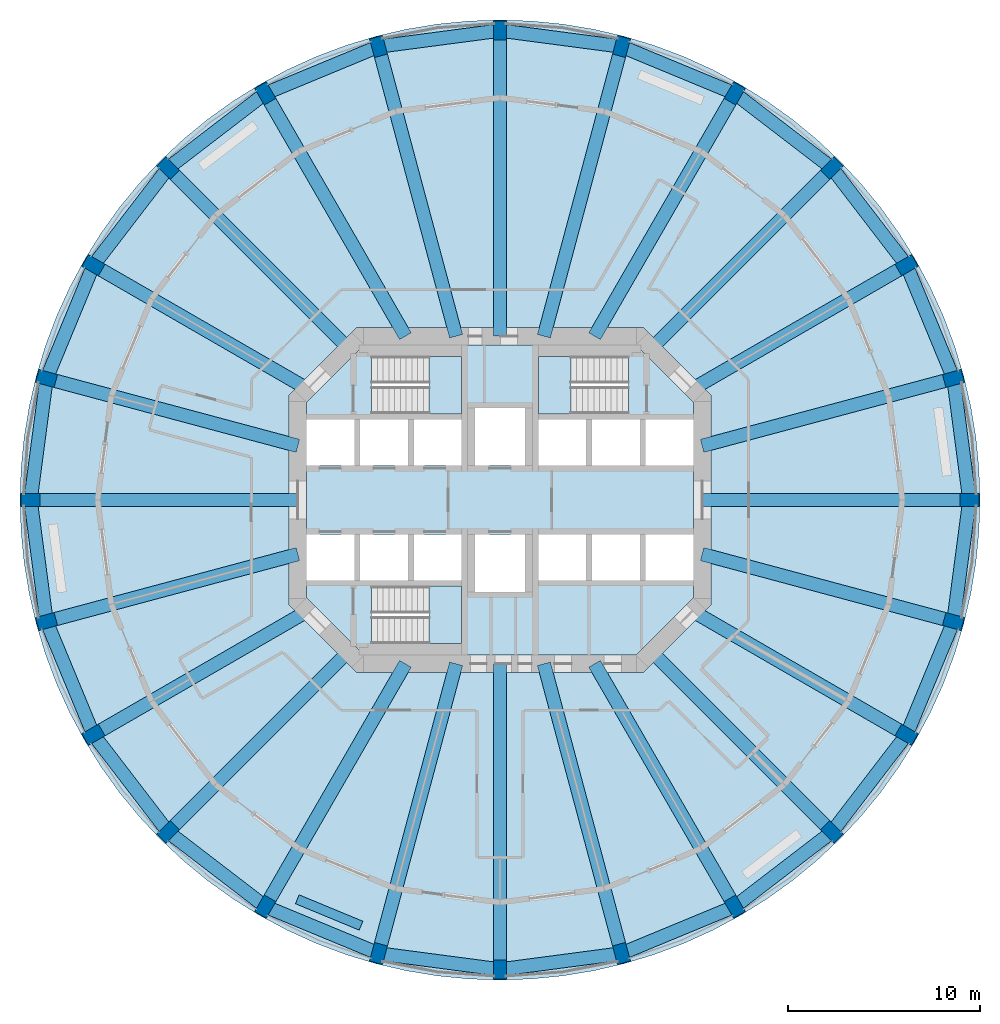
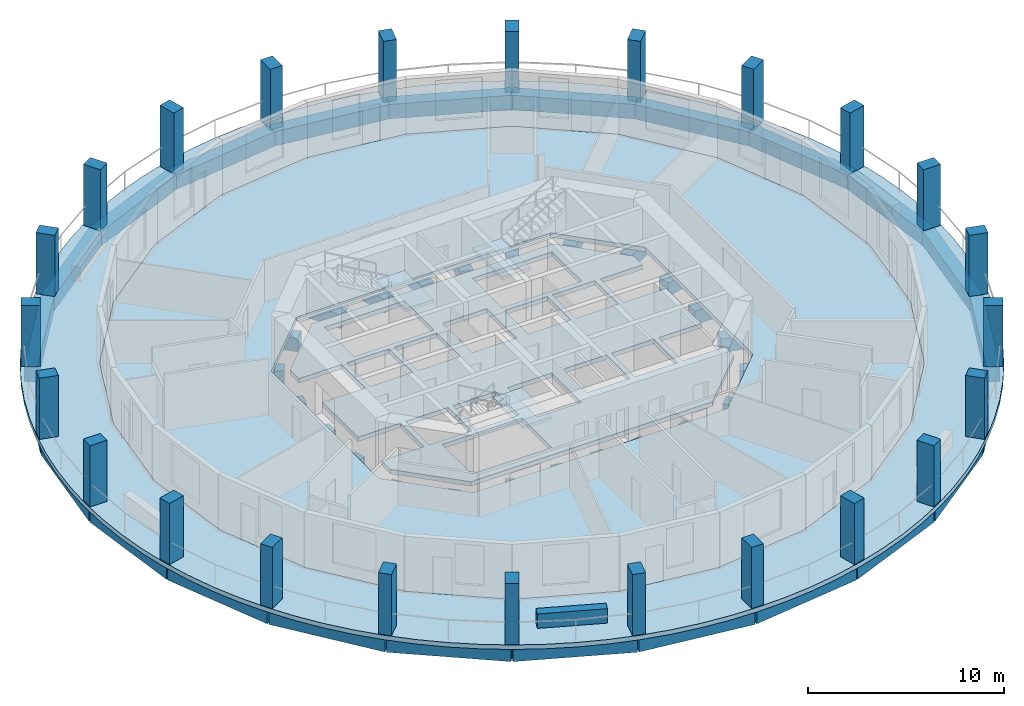
# One storey, part 1 of 8: 48 beams, 24 columns, 6 slabs, 1 wall, 3 elements without a shape of their own.
"""IFC4 building model written with IfcOpenShell, lengths in metres."""

from ifc_helpers import new_model, si_unit, direction, frame, frame_2d, origin, origin_2d, place, context, subcontext, project, spatial, polyline, rectangle, outline, extrude, material, layer, layer_set, material_profile, profile_set, type_object, element, aggregate, save


model = new_model("IFC4")

# Units and contexts
model_context = context("Model", 3, precision=1e-05, world=origin(), true_north=direction((0.0, 1.0)))
body_context = subcontext(model_context, "Body", "Model", "MODEL_VIEW")
ifc_project = project(units=[si_unit("LENGTHUNIT", "METRE"), si_unit("AREAUNIT", "SQUARE_METRE"), si_unit("VOLUMEUNIT", "CUBIC_METRE"), si_unit("PLANEANGLEUNIT", "RADIAN"), si_unit("MASSUNIT", "GRAM", prefix="KILO")], contexts=[model_context])

# Site, building, storey
site_placement = place(None, origin())
site = spatial("IfcSite", under=ifc_project, at=site_placement, CompositionType="ELEMENT")
building_placement = place(site_placement, origin())
building = spatial("IfcBuilding", under=site, at=building_placement, Name="Torre Triforio", CompositionType="ELEMENT")
storey_placement = place(building_placement, frame((0.0, 0.0, 123.800048828125)))
storey = spatial("IfcBuildingStorey", under=building, at=storey_placement, Name="L27", CompositionType="ELEMENT", Elevation=123.800048828125)

# Columns
ifc_material_1 = material(Name="Concrete C60", Category="concrete")
ifc_material_profile_1 = material_profile(ifc_material_1, rectangle(XDim=0.699951171875, YDim=1.0, at=origin_2d()), Name="RC 700x1000")
ifc_profile_set_1 = profile_set([ifc_material_profile_1], Name="Concrete C60")
column_type = type_object("IfcColumnType", Name="Pier RC 700x1000 C60", PredefinedType="COLUMN", material=ifc_profile_set_1)
for number, where, z_axis, x_axis, name in (
    (1, (24.5, 0.0, 0.0), (0.0, 0.0, 1.0), (0.0, 1.0, 0.0), "COL.R.L27.00"),
    (2, (23.665283203125, 6.341064453125, 0.0), (0.0, 0.0, 1.0), (-0.258819045103, 0.965925826289, 0.0), "COL.R.L27.01"),
    (3, (21.217529296875, 12.25, 0.0), (0.0, 0.0, 1.0), (-0.5, 0.866025403784, 0.0), "COL.R.L27.02"),
    (4, (17.32421875, 17.32421875, 0.0), (0.0, 0.0, 1.0), (-0.707106781187, 0.707106781187, 0.0), "COL.R.L27.03"),
    (5, (12.25, 21.217529296875, 0.0), (0.0, 0.0, 1.0), (-0.866025403784, 0.5, 0.0), "COL.R.L27.04"),
    (6, (6.341064453125, 23.665283203125, 0.0), (0.0, 0.0, 1.0), (-0.965925826289, 0.258819045103, 0.0), "COL.R.L27.05"),
    (7, (0.0, 24.5, 0.0), (0.0, 0.0, 1.0), (-1.0, 0.0, 0.0), "COL.R.L27.06"),
    (8, (-6.341064453125, 23.665283203125, 0.0), (0.0, 0.0, 1.0), (-0.965925826289, -0.258819045103, 0.0), "COL.R.L27.07"),
    (9, (-12.25, 21.217529296875, 0.0), (0.0, 0.0, 1.0), (-0.866025403784, -0.5, 0.0), "COL.R.L27.08"),
    (10, (-17.32421875, 17.32421875, 0.0), (0.0, 0.0, 1.0), (-0.707106781187, -0.707106781187, 0.0), "COL.R.L27.09"),
    (11, (-21.217529296875, 12.25, 0.0), (0.0, 0.0, 1.0), (-0.5, -0.866025403784, 0.0), "COL.R.L27.10"),
    (12, (-23.665283203125, 6.341064453125, 0.0), (0.0, 0.0, 1.0), (-0.258819045103, -0.965925826289, 0.0), "COL.R.L27.11"),
    (13, (-24.5, 0.0, 0.0), (0.0, 0.0, 1.0), (0.0, -1.0, 0.0), "COL.R.L27.12"),
    (14, (-23.665283203125, -6.341064453125, 0.0), (0.0, 0.0, 1.0), (0.258819045103, -0.965925826289, 0.0), "COL.R.L27.13"),
    (15, (-21.217529296875, -12.25, 0.0), (0.0, 0.0, 1.0), (0.5, -0.866025403784, 0.0), "COL.R.L27.14"),
    (16, (-17.32421875, -17.32421875, 0.0), (0.0, 0.0, 1.0), (0.707106781187, -0.707106781187, 0.0), "COL.R.L27.15"),
    (17, (-12.25, -21.217529296875, 0.0), (0.0, 0.0, 1.0), (0.866025403784, -0.5, 0.0), "COL.R.L27.16"),
    (18, (-6.341064453125, -23.665283203125, 0.0), (0.0, 0.0, 1.0), (0.965925826289, -0.258819045103, 0.0), "COL.R.L27.17"),
    (19, (0.0, -24.5, 0.0), (0.0, 0.0, 1.0), (1.0, 0.0, 0.0), "COL.R.L27.18"),
    (20, (6.341064453125, -23.665283203125, 0.0), (0.0, 0.0, 1.0), (0.965925826289, 0.258819045103, 0.0), "COL.R.L27.19"),
    (21, (12.25, -21.217529296875, 0.0), (0.0, 0.0, 1.0), (0.866025403784, 0.5, 0.0), "COL.R.L27.20"),
    (22, (17.32421875, -17.32421875, 0.0), (0.0, 0.0, 1.0), (0.707106781187, 0.707106781187, 0.0), "COL.R.L27.21"),
    (23, (21.217529296875, -12.25, 0.0), (0.0, 0.0, 1.0), (0.5, 0.866025403784, 0.0), "COL.R.L27.22"),
    (24, (23.665283203125, -6.341064453125, 0.0), (0.0, 0.0, 1.0), (0.258819045103, 0.965925826289, 0.0), "COL.R.L27.23"),
):
    element("IfcColumn", number, at=place(storey_placement, frame(where, z_axis=z_axis, x_axis=x_axis)), inside=storey, type_object=column_type, Name=name, PredefinedType="COLUMN", context=body_context, shape_type="SweptSolid", body=[
        extrude(rectangle(XDim=0.699951171875, YDim=1.0, at=origin_2d()), origin(), (0.0, 0.0, 1.0), 3.800048828125),
    ])

# Beams
ifc_material_2 = material(Name="Concrete C50", Category="concrete")
ifc_material_profile_2 = material_profile(ifc_material_2, rectangle(XDim=0.699951171875, YDim=0.85009765625, at=origin_2d()), Name="RC 700x850")
ifc_profile_set_2 = profile_set([ifc_material_profile_2], Name="Concrete C50")
beam_type_1 = type_object("IfcBeamType", Name="Radial beam RC 700x850 C50", PredefinedType="BEAM", material=ifc_profile_set_2)
beam_1_placement = place(storey_placement, frame((10.550048828125, 0.0, -0.705078125), z_axis=(1.0, 0.0, 0.0), x_axis=(0.0, 1.0, 0.0)))
element("IfcBeam", 25, at=beam_1_placement, inside=storey, type_object=beam_type_1, Name="BM.R.L27.00", PredefinedType="BEAM", context=body_context, shape_type="SweptSolid", body=[
    extrude(rectangle(XDim=0.699951171875, YDim=0.85009765625, at=origin_2d()), origin(), (0.0, 0.0, 1.0), 13.949951171875),
])
beam_2_placement = place(storey_placement, frame((10.550048828125, 2.826904296875, -0.705078125), z_axis=(0.965926862951, 0.258815176197, 0.0), x_axis=(-0.258815176197, 0.965926862951, 0.0)))
element("IfcBeam", 26, at=beam_2_placement, inside=storey, type_object=beam_type_1, Name="BM.R.L27.01", PredefinedType="BEAM", context=body_context, shape_type="SweptSolid", body=[
    extrude(rectangle(XDim=0.699951171875, YDim=0.85009765625, at=origin_2d()), origin(), (0.0, 0.0, 1.0), 13.577880859375),
])
beam_3_placement = place(storey_placement, frame((10.039794921875, 5.796630859375, -0.705078125), z_axis=(0.866028718729, 0.499994258303, 0.0), x_axis=(-0.499994258303, 0.866028718729, 0.0)))
element("IfcBeam", 27, at=beam_3_placement, inside=storey, type_object=beam_type_1, Name="BM.R.L27.02", PredefinedType="BEAM", context=body_context, shape_type="SweptSolid", body=[
    extrude(rectangle(XDim=0.699951171875, YDim=0.85009765625, at=origin_2d()), origin(), (0.0, 0.0, 1.0), 12.906982421875),
])
beam_4_placement = place(storey_placement, frame((7.918212890625, 7.918212890625, -0.705078125), z_axis=(0.707106781187, 0.707106781187, 0.0), x_axis=(-0.707106781187, 0.707106781187, 0.0)))
element("IfcBeam", 28, at=beam_4_placement, inside=storey, type_object=beam_type_1, Name="BM.R.L27.03", PredefinedType="BEAM", context=body_context, shape_type="SweptSolid", body=[
    extrude(rectangle(XDim=0.699951171875, YDim=0.85009765625, at=origin_2d()), origin(), (0.0, 0.0, 1.0), 13.302001953125),
])
beam_5_placement = place(storey_placement, frame((4.936279296875, 8.550048828125, -0.705078125), z_axis=(0.500007560092, 0.86602103892, 0.0), x_axis=(-0.86602103892, 0.500007560092, 0.0)))
element("IfcBeam", 29, at=beam_5_placement, inside=storey, type_object=beam_type_1, Name="BM.R.L27.04", PredefinedType="BEAM", context=body_context, shape_type="SweptSolid", body=[
    extrude(rectangle(XDim=0.699951171875, YDim=0.85009765625, at=origin_2d()), origin(), (0.0, 0.0, 1.0), 14.627197265625),
])
beam_6_placement = place(storey_placement, frame((2.291015625, 8.550048828125, -0.705078125), z_axis=(0.258815108997, 0.965926880957, 0.0), x_axis=(-0.965926880957, 0.258815108997, 0.0)))
element("IfcBeam", 30, at=beam_6_placement, inside=storey, type_object=beam_type_1, Name="BM.R.L27.05", PredefinedType="BEAM", context=body_context, shape_type="SweptSolid", body=[
    extrude(rectangle(XDim=0.699951171875, YDim=0.85009765625, at=origin_2d()), origin(), (0.0, 0.0, 1.0), 15.6484375),
])
beam_7_placement = place(storey_placement, frame((0.0, 8.550048828125, -0.705078125), z_axis=(0.0, 1.0, 0.0), x_axis=(-1.0, 0.0, 0.0)))
element("IfcBeam", 31, at=beam_7_placement, inside=storey, type_object=beam_type_1, Name="BM.R.L27.06", PredefinedType="BEAM", context=body_context, shape_type="SweptSolid", body=[
    extrude(rectangle(XDim=0.699951171875, YDim=0.85009765625, at=origin_2d()), origin(), (0.0, 0.0, 1.0), 15.949951171875),
])
beam_8_placement = place(storey_placement, frame((-2.291015625, 8.550048828125, -0.705078125), z_axis=(-0.258815108997, 0.965926880957, 0.0), x_axis=(-0.965926880957, -0.258815108997, 0.0)))
element("IfcBeam", 32, at=beam_8_placement, inside=storey, type_object=beam_type_1, Name="BM.R.L27.07", PredefinedType="BEAM", context=body_context, shape_type="SweptSolid", body=[
    extrude(rectangle(XDim=0.699951171875, YDim=0.85009765625, at=origin_2d()), origin(), (0.0, 0.0, 1.0), 15.6484375),
])
beam_9_placement = place(storey_placement, frame((-4.936279296875, 8.550048828125, -0.705078125), z_axis=(-0.500007560092, 0.86602103892, 0.0), x_axis=(-0.86602103892, -0.500007560092, 0.0)))
element("IfcBeam", 33, at=beam_9_placement, inside=storey, type_object=beam_type_1, Name="BM.R.L27.08", PredefinedType="BEAM", context=body_context, shape_type="SweptSolid", body=[
    extrude(rectangle(XDim=0.699951171875, YDim=0.85009765625, at=origin_2d()), origin(), (0.0, 0.0, 1.0), 14.627197265625),
])
beam_10_placement = place(storey_placement, frame((-7.918212890625, 7.918212890625, -0.705078125), z_axis=(-0.707106781187, 0.707106781187, 0.0), x_axis=(-0.707106781187, -0.707106781187, 0.0)))
element("IfcBeam", 34, at=beam_10_placement, inside=storey, type_object=beam_type_1, Name="BM.R.L27.09", PredefinedType="BEAM", context=body_context, shape_type="SweptSolid", body=[
    extrude(rectangle(XDim=0.699951171875, YDim=0.85009765625, at=origin_2d()), origin(), (0.0, 0.0, 1.0), 13.302001953125),
])
beam_11_placement = place(storey_placement, frame((-10.039794921875, 5.796630859375, -0.705078125), z_axis=(-0.866028718729, 0.499994258303, 0.0), x_axis=(-0.499994258303, -0.866028718729, 0.0)))
element("IfcBeam", 35, at=beam_11_placement, inside=storey, type_object=beam_type_1, Name="BM.R.L27.10", PredefinedType="BEAM", context=body_context, shape_type="SweptSolid", body=[
    extrude(rectangle(XDim=0.699951171875, YDim=0.85009765625, at=origin_2d()), origin(), (0.0, 0.0, 1.0), 12.906982421875),
])
beam_12_placement = place(storey_placement, frame((-10.550048828125, 2.826904296875, -0.705078125), z_axis=(-0.965926862951, 0.258815176197, 0.0), x_axis=(-0.258815176197, -0.965926862951, 0.0)))
element("IfcBeam", 36, at=beam_12_placement, inside=storey, type_object=beam_type_1, Name="BM.R.L27.11", PredefinedType="BEAM", context=body_context, shape_type="SweptSolid", body=[
    extrude(rectangle(XDim=0.699951171875, YDim=0.85009765625, at=origin_2d()), origin(), (0.0, 0.0, 1.0), 13.577880859375),
])
beam_13_placement = place(storey_placement, frame((-10.550048828125, 0.0, -0.705078125), z_axis=(-1.0, 0.0, 0.0), x_axis=(0.0, -1.0, 0.0)))
element("IfcBeam", 37, at=beam_13_placement, inside=storey, type_object=beam_type_1, Name="BM.R.L27.12", PredefinedType="BEAM", context=body_context, shape_type="SweptSolid", body=[
    extrude(rectangle(XDim=0.699951171875, YDim=0.85009765625, at=origin_2d()), origin(), (0.0, 0.0, 1.0), 13.949951171875),
])
beam_14_placement = place(storey_placement, frame((-10.550048828125, -2.826904296875, -0.705078125), z_axis=(-0.965926862951, -0.258815176197, 0.0), x_axis=(0.258815176197, -0.965926862951, 0.0)))
element("IfcBeam", 38, at=beam_14_placement, inside=storey, type_object=beam_type_1, Name="BM.R.L27.13", PredefinedType="BEAM", context=body_context, shape_type="SweptSolid", body=[
    extrude(rectangle(XDim=0.699951171875, YDim=0.85009765625, at=origin_2d()), origin(), (0.0, 0.0, 1.0), 13.577880859375),
])
beam_15_placement = place(storey_placement, frame((-10.039794921875, -5.796630859375, -0.705078125), z_axis=(-0.866028718729, -0.499994258303, 0.0), x_axis=(0.499994258303, -0.866028718729, 0.0)))
element("IfcBeam", 39, at=beam_15_placement, inside=storey, type_object=beam_type_1, Name="BM.R.L27.14", PredefinedType="BEAM", context=body_context, shape_type="SweptSolid", body=[
    extrude(rectangle(XDim=0.699951171875, YDim=0.85009765625, at=origin_2d()), origin(), (0.0, 0.0, 1.0), 12.906982421875),
])
beam_16_placement = place(storey_placement, frame((-7.918212890625, -7.918212890625, -0.705078125), z_axis=(-0.707106781187, -0.707106781187, 0.0), x_axis=(0.707106781187, -0.707106781187, 0.0)))
element("IfcBeam", 40, at=beam_16_placement, inside=storey, type_object=beam_type_1, Name="BM.R.L27.15", PredefinedType="BEAM", context=body_context, shape_type="SweptSolid", body=[
    extrude(rectangle(XDim=0.699951171875, YDim=0.85009765625, at=origin_2d()), origin(), (0.0, 0.0, 1.0), 13.302001953125),
])
beam_17_placement = place(storey_placement, frame((-4.936279296875, -8.550048828125, -0.705078125), z_axis=(-0.500007560092, -0.86602103892, 0.0), x_axis=(0.86602103892, -0.500007560092, 0.0)))
element("IfcBeam", 41, at=beam_17_placement, inside=storey, type_object=beam_type_1, Name="BM.R.L27.16", PredefinedType="BEAM", context=body_context, shape_type="SweptSolid", body=[
    extrude(rectangle(XDim=0.699951171875, YDim=0.85009765625, at=origin_2d()), origin(), (0.0, 0.0, 1.0), 14.627197265625),
])
beam_18_placement = place(storey_placement, frame((-2.291015625, -8.550048828125, -0.705078125), z_axis=(-0.258815108997, -0.965926880957, 0.0), x_axis=(0.965926880957, -0.258815108997, 0.0)))
element("IfcBeam", 42, at=beam_18_placement, inside=storey, type_object=beam_type_1, Name="BM.R.L27.17", PredefinedType="BEAM", context=body_context, shape_type="SweptSolid", body=[
    extrude(rectangle(XDim=0.699951171875, YDim=0.85009765625, at=origin_2d()), origin(), (0.0, 0.0, 1.0), 15.6484375),
])
beam_19_placement = place(storey_placement, frame((0.0, -8.550048828125, -0.705078125), z_axis=(0.0, -1.0, 0.0), x_axis=(1.0, 0.0, 0.0)))
element("IfcBeam", 43, at=beam_19_placement, inside=storey, type_object=beam_type_1, Name="BM.R.L27.18", PredefinedType="BEAM", context=body_context, shape_type="SweptSolid", body=[
    extrude(rectangle(XDim=0.699951171875, YDim=0.85009765625, at=origin_2d()), origin(), (0.0, 0.0, 1.0), 15.949951171875),
])
beam_20_placement = place(storey_placement, frame((2.291015625, -8.550048828125, -0.705078125), z_axis=(0.258815108997, -0.965926880957, 0.0), x_axis=(0.965926880957, 0.258815108997, 0.0)))
element("IfcBeam", 44, at=beam_20_placement, inside=storey, type_object=beam_type_1, Name="BM.R.L27.19", PredefinedType="BEAM", context=body_context, shape_type="SweptSolid", body=[
    extrude(rectangle(XDim=0.699951171875, YDim=0.85009765625, at=origin_2d()), origin(), (0.0, 0.0, 1.0), 15.6484375),
])
beam_21_placement = place(storey_placement, frame((4.936279296875, -8.550048828125, -0.705078125), z_axis=(0.500007560092, -0.86602103892, 0.0), x_axis=(0.86602103892, 0.500007560092, 0.0)))
element("IfcBeam", 45, at=beam_21_placement, inside=storey, type_object=beam_type_1, Name="BM.R.L27.20", PredefinedType="BEAM", context=body_context, shape_type="SweptSolid", body=[
    extrude(rectangle(XDim=0.699951171875, YDim=0.85009765625, at=origin_2d()), origin(), (0.0, 0.0, 1.0), 14.627197265625),
])
beam_22_placement = place(storey_placement, frame((7.918212890625, -7.918212890625, -0.705078125), z_axis=(0.707106781187, -0.707106781187, 0.0), x_axis=(0.707106781187, 0.707106781187, 0.0)))
element("IfcBeam", 46, at=beam_22_placement, inside=storey, type_object=beam_type_1, Name="BM.R.L27.21", PredefinedType="BEAM", context=body_context, shape_type="SweptSolid", body=[
    extrude(rectangle(XDim=0.699951171875, YDim=0.85009765625, at=origin_2d()), origin(), (0.0, 0.0, 1.0), 13.302001953125),
])
beam_23_placement = place(storey_placement, frame((10.039794921875, -5.796630859375, -0.705078125), z_axis=(0.866028718729, -0.499994258303, 0.0), x_axis=(0.499994258303, 0.866028718729, 0.0)))
element("IfcBeam", 47, at=beam_23_placement, inside=storey, type_object=beam_type_1, Name="BM.R.L27.22", PredefinedType="BEAM", context=body_context, shape_type="SweptSolid", body=[
    extrude(rectangle(XDim=0.699951171875, YDim=0.85009765625, at=origin_2d()), origin(), (0.0, 0.0, 1.0), 12.906982421875),
])
beam_24_placement = place(storey_placement, frame((10.550048828125, -2.826904296875, -0.705078125), z_axis=(0.965926862951, -0.258815176197, 0.0), x_axis=(0.258815176197, 0.965926862951, 0.0)))
element("IfcBeam", 48, at=beam_24_placement, inside=storey, type_object=beam_type_1, Name="BM.R.L27.23", PredefinedType="BEAM", context=body_context, shape_type="SweptSolid", body=[
    extrude(rectangle(XDim=0.699951171875, YDim=0.85009765625, at=origin_2d()), origin(), (0.0, 0.0, 1.0), 13.577880859375),
])
ifc_material_profile_3 = material_profile(ifc_material_2, rectangle(XDim=0.699951171875, YDim=0.89990234375, at=origin_2d()), Name="RC 700x900")
ifc_profile_set_3 = profile_set([ifc_material_profile_3], Name="Concrete C50")
beam_type_2 = type_object("IfcBeamType", Name="Spandrel beam RC 700x900 C50", PredefinedType="SPANDREL", material=ifc_profile_set_3)
for number, where, z_axis, x_axis, name in (
    (49, (24.5, 0.0, -0.72998046875), (-0.130510796237, 0.991446888172, 0.0), (-0.991446888172, -0.130510796237, 0.0), "BM.S.L27.00"),
    (50, (23.665283203125, 6.341064453125, -0.72998046875), (-0.382709143949, 0.923868882006, 0.0), (-0.923868882006, -0.382709143949, 0.0), "BM.S.L27.01"),
    (51, (21.217529296875, 12.25, -0.72998046875), (-0.60873442055, 0.79337406388, 0.0), (-0.79337406388, -0.60873442055, 0.0), "BM.S.L27.02"),
    (52, (17.32421875, 17.32421875, -0.72998046875), (-0.79337406388, 0.60873442055, 0.0), (-0.60873442055, -0.79337406388, 0.0), "BM.S.L27.03"),
    (53, (12.25, 21.217529296875, -0.72998046875), (-0.923868882006, 0.382709143949, 0.0), (-0.382709143949, -0.923868882006, 0.0), "BM.S.L27.04"),
    (54, (6.341064453125, 23.665283203125, -0.72998046875), (-0.991446888172, 0.130510796237, 0.0), (-0.130510796237, -0.991446888172, 0.0), "BM.S.L27.05"),
    (55, (0.0, 24.5, -0.72998046875), (-0.991446888172, -0.130510796237, 0.0), (0.130510796237, -0.991446888172, 0.0), "BM.S.L27.06"),
    (56, (-6.341064453125, 23.665283203125, -0.72998046875), (-0.923868882006, -0.382709143949, 0.0), (0.382709143949, -0.923868882006, 0.0), "BM.S.L27.07"),
    (57, (-12.25, 21.217529296875, -0.72998046875), (-0.79337406388, -0.60873442055, 0.0), (0.60873442055, -0.79337406388, 0.0), "BM.S.L27.08"),
    (58, (-17.32421875, 17.32421875, -0.72998046875), (-0.60873442055, -0.79337406388, 0.0), (0.79337406388, -0.60873442055, 0.0), "BM.S.L27.09"),
    (59, (-21.217529296875, 12.25, -0.72998046875), (-0.382709143949, -0.923868882006, 0.0), (0.923868882006, -0.382709143949, 0.0), "BM.S.L27.10"),
    (60, (-23.665283203125, 6.341064453125, -0.72998046875), (-0.130510796237, -0.991446888172, 0.0), (0.991446888172, -0.130510796237, 0.0), "BM.S.L27.11"),
    (61, (-24.5, 0.0, -0.72998046875), (0.130510796237, -0.991446888172, 0.0), (0.991446888172, 0.130510796237, 0.0), "BM.S.L27.12"),
    (62, (-23.665283203125, -6.341064453125, -0.72998046875), (0.382709143949, -0.923868882006, 0.0), (0.923868882006, 0.382709143949, 0.0), "BM.S.L27.13"),
    (63, (-21.217529296875, -12.25, -0.72998046875), (0.60873442055, -0.79337406388, 0.0), (0.79337406388, 0.60873442055, 0.0), "BM.S.L27.14"),
    (64, (-17.32421875, -17.32421875, -0.72998046875), (0.79337406388, -0.60873442055, 0.0), (0.60873442055, 0.79337406388, 0.0), "BM.S.L27.15"),
    (65, (-12.25, -21.217529296875, -0.72998046875), (0.923868882006, -0.382709143949, 0.0), (0.382709143949, 0.923868882006, 0.0), "BM.S.L27.16"),
    (66, (-6.341064453125, -23.665283203125, -0.72998046875), (0.991446888172, -0.130510796237, 0.0), (0.130510796237, 0.991446888172, 0.0), "BM.S.L27.17"),
    (67, (0.0, -24.5, -0.72998046875), (0.991446888172, 0.130510796237, 0.0), (-0.130510796237, 0.991446888172, 0.0), "BM.S.L27.18"),
    (68, (6.341064453125, -23.665283203125, -0.72998046875), (0.923868882006, 0.382709143949, 0.0), (-0.382709143949, 0.923868882006, 0.0), "BM.S.L27.19"),
    (69, (12.25, -21.217529296875, -0.72998046875), (0.79337406388, 0.60873442055, 0.0), (-0.60873442055, 0.79337406388, 0.0), "BM.S.L27.20"),
    (70, (17.32421875, -17.32421875, -0.72998046875), (0.60873442055, 0.79337406388, 0.0), (-0.79337406388, 0.60873442055, 0.0), "BM.S.L27.21"),
    (71, (21.217529296875, -12.25, -0.72998046875), (0.382709143949, 0.923868882006, 0.0), (-0.923868882006, 0.382709143949, 0.0), "BM.S.L27.22"),
    (72, (23.665283203125, -6.341064453125, -0.72998046875), (0.130510796237, 0.991446888172, 0.0), (-0.991446888172, 0.130510796237, 0.0), "BM.S.L27.23"),
):
    element("IfcBeam", number, at=place(storey_placement, frame(where, z_axis=z_axis, x_axis=x_axis)), inside=storey, type_object=beam_type_2, Name=name, PredefinedType="SPANDREL", context=body_context, shape_type="SweptSolid", body=[
        extrude(rectangle(XDim=0.699951171875, YDim=0.89990234375, at=origin_2d()), origin(), (0.0, 0.0, 1.0), 6.395751953125),
    ])

# Slabs
ifc_layer_1 = layer(ifc_material_1, 0.280029296875)
ifc_layer_set_1 = layer_set([ifc_layer_1], Name="Concrete C60")
slab_type_1 = type_object("IfcSlabType", Name="Core floor slab 280 mm C60 REI 120", PredefinedType="FLOOR", material=ifc_layer_set_1)
slab_1_placement = place(storey_placement, frame((0.0, 0.0, -0.280029296875)))
element("IfcSlab", 73, at=slab_1_placement, inside=storey, type_object=slab_type_1, Name="Core floor slab", PredefinedType="FLOOR", context=body_context, shape_type="SweptSolid", body=[
    extrude(outline(polyline([(10.10009765625, -5.10009765625), (7.10009765625, -8.10009765625), (-7.10009765625, -8.10009765625), (-10.10009765625, -5.10009765625), (-10.10009765625, -4.199951171875), (-7.60009765625, -4.199951171875), (-7.60009765625, -1.800048828125), (-10.10009765625, -1.800048828125), (-10.10009765625, 1.800048828125), (-7.60009765625, 1.800048828125), (-7.60009765625, 4.199951171875), (-10.10009765625, 4.199951171875), (-10.10009765625, 5.10009765625), (-7.10009765625, 8.10009765625), (7.10009765625, 8.10009765625), (10.10009765625, 5.10009765625), (10.10009765625, 4.199951171875), (7.60009765625, 4.199951171875), (7.60009765625, 1.800048828125), (10.10009765625, 1.800048828125), (10.10009765625, -1.800048828125), (7.60009765625, -1.800048828125), (7.60009765625, -4.199951171875), (10.10009765625, -4.199951171875), (10.10009765625, -5.10009765625)]), holes=[polyline([(-2.0, -4.5), (-6.696044921875, -4.5), (-6.696044921875, -7.5), (-2.0, -7.5), (-2.0, -4.5)]), polyline([(-4.800048828125, -1.800048828125), (-7.300048828125, -1.800048828125), (-7.300048828125, -4.199951171875), (-4.800048828125, -4.199951171875), (-4.800048828125, -1.800048828125)]), polyline([(-2.0, -1.800048828125), (-4.5, -1.800048828125), (-4.5, -4.199951171875), (-2.0, -4.199951171875), (-2.0, -1.800048828125)]), polyline([(-4.800048828125, 4.199951171875), (-7.300048828125, 4.199951171875), (-7.300048828125, 1.800048828125), (-4.800048828125, 1.800048828125), (-4.800048828125, 4.199951171875)]), polyline([(-2.0, 4.199951171875), (-4.5, 4.199951171875), (-4.5, 1.800048828125), (-2.0, 1.800048828125), (-2.0, 4.199951171875)]), polyline([(1.300048828125, 4.800048828125), (-1.300048828125, 4.800048828125), (-1.300048828125, 1.800048828125), (1.300048828125, 1.800048828125), (1.300048828125, 4.800048828125)]), polyline([(-2.0, 7.5), (-6.696044921875, 7.5), (-6.696044921875, 4.5), (-2.0, 4.5), (-2.0, 7.5)]), polyline([(1.300048828125, -1.800048828125), (-1.300048828125, -1.800048828125), (-1.300048828125, -4.800048828125), (1.300048828125, -4.800048828125), (1.300048828125, -1.800048828125)]), polyline([(4.5, -1.800048828125), (2.0, -1.800048828125), (2.0, -4.199951171875), (4.5, -4.199951171875), (4.5, -1.800048828125)]), polyline([(7.300048828125, -1.800048828125), (4.800048828125, -1.800048828125), (4.800048828125, -4.199951171875), (7.300048828125, -4.199951171875), (7.300048828125, -1.800048828125)]), polyline([(4.5, 4.199951171875), (2.0, 4.199951171875), (2.0, 1.800048828125), (4.5, 1.800048828125), (4.5, 4.199951171875)]), polyline([(7.300048828125, 4.199951171875), (4.800048828125, 4.199951171875), (4.800048828125, 1.800048828125), (7.300048828125, 1.800048828125), (7.300048828125, 4.199951171875)]), polyline([(6.696044921875, 4.5), (6.696044921875, 7.5), (2.0, 7.5), (2.0, 4.5), (6.696044921875, 4.5)])]), origin(), (0.0, 0.0, 1.0), 0.280029296875),
])
ifc_layer_2 = layer(ifc_material_2, 0.280029296875)
ifc_layer_set_2 = layer_set([ifc_layer_2], Name="Concrete C50")
slab_type_2 = type_object("IfcSlabType", Name="Floor slab 280 C50", PredefinedType="FLOOR", material=ifc_layer_set_2)
slab_2_placement = place(storey_placement, frame((0.0, 0.0, -0.280029296875)))
element("IfcSlab", 74, at=slab_2_placement, inside=storey, type_object=slab_type_2, Name="SL.L27", PredefinedType="FLOOR", context=body_context, shape_type="SweptSolid", body=[
    extrude(outline(polyline([(18.1865234375, -10.5), (20.284423828125, -5.435302734375), (21.0, 0.0), (20.284423828125, 5.435302734375), (18.1865234375, 10.5), (14.84912109375, 14.84912109375), (10.5, 18.1865234375), (5.435302734375, 20.284423828125), (0.0, 21.0), (-5.435302734375, 20.284423828125), (-10.5, 18.1865234375), (-14.84912109375, 14.84912109375), (-18.1865234375, 10.5), (-20.284423828125, 5.435302734375), (-21.0, 0.0), (-20.284423828125, -5.435302734375), (-18.1865234375, -10.5), (-14.84912109375, -14.84912109375), (-10.5, -18.1865234375), (-5.435302734375, -20.284423828125), (0.0, -21.0), (5.435302734375, -20.284423828125), (10.5, -18.1865234375), (14.84912109375, -14.84912109375), (18.1865234375, -10.5)]), holes=[polyline([(11.0, 5.472900390625), (11.0, -5.472900390625), (7.472900390625, -9.0), (-7.472900390625, -9.0), (-11.0, -5.472900390625), (-11.0, 5.472900390625), (-7.472900390625, 9.0), (7.472900390625, 9.0), (11.0, 5.472900390625)])]), origin(), (0.0, 0.0, 1.0), 0.280029296875),
])
ifc_layer_3 = layer(ifc_material_2, 0.280029296875)
ifc_layer_set_3 = layer_set([ifc_layer_3], Name="Concrete C50")
slab_type_3 = type_object("IfcSlabType", Name="Loggia slab 280 C50", PredefinedType="FLOOR", material=ifc_layer_set_3)
slab_3_placement = place(storey_placement, frame((0.0, 0.0, -0.280029296875)))
element("IfcSlab", 75, at=slab_3_placement, inside=storey, type_object=slab_type_3, Name="SL.L27.LG", PredefinedType="FLOOR", context=body_context, shape_type="SweptSolid", body=[
    extrude(outline(polyline([(24.996337890625, -1.638427734375), (25.050048828125, 0.0), (24.996337890625, 1.638427734375), (24.835693359375, 3.269775390625), (24.568603515625, 4.886962890625), (24.196533203125, 6.4833984375), (23.720703125, 8.052001953125), (23.14306640625, 9.586181640625), (22.466552734375, 11.079345703125), (21.69384765625, 12.52490234375), (20.828369140625, 13.9169921875), (19.87353515625, 15.24951171875), (18.83349609375, 16.5166015625), (17.713134765625, 17.713134765625), (16.5166015625, 18.83349609375), (15.24951171875, 19.87353515625), (13.9169921875, 20.828369140625), (12.52490234375, 21.69384765625), (11.079345703125, 22.466552734375), (9.586181640625, 23.14306640625), (8.052001953125, 23.720703125), (6.4833984375, 24.196533203125), (4.886962890625, 24.568603515625), (3.269775390625, 24.835693359375), (1.638427734375, 24.996337890625), (0.0, 25.050048828125), (-1.638427734375, 24.996337890625), (-3.269775390625, 24.835693359375), (-4.886962890625, 24.568603515625), (-6.4833984375, 24.196533203125), (-8.052001953125, 23.720703125), (-9.586181640625, 23.14306640625), (-11.079345703125, 22.466552734375), (-12.52490234375, 21.69384765625), (-13.9169921875, 20.828369140625), (-15.24951171875, 19.87353515625), (-16.5166015625, 18.83349609375), (-17.713134765625, 17.713134765625), (-18.83349609375, 16.5166015625), (-19.87353515625, 15.24951171875), (-20.828369140625, 13.9169921875), (-21.69384765625, 12.52490234375), (-22.466552734375, 11.079345703125), (-23.14306640625, 9.586181640625), (-23.720703125, 8.052001953125), (-24.196533203125, 6.4833984375), (-24.568603515625, 4.886962890625), (-24.835693359375, 3.269775390625), (-24.996337890625, 1.638427734375), (-25.050048828125, 0.0), (-24.996337890625, -1.638427734375), (-24.835693359375, -3.269775390625), (-24.568603515625, -4.886962890625), (-24.196533203125, -6.4833984375), (-23.720703125, -8.052001953125), (-23.14306640625, -9.586181640625), (-22.466552734375, -11.079345703125), (-21.69384765625, -12.52490234375), (-20.828369140625, -13.9169921875), (-19.87353515625, -15.24951171875), (-18.83349609375, -16.5166015625), (-17.713134765625, -17.713134765625), (-16.5166015625, -18.83349609375), (-15.24951171875, -19.87353515625), (-13.9169921875, -20.828369140625), (-12.52490234375, -21.69384765625), (-11.079345703125, -22.466552734375), (-9.586181640625, -23.14306640625), (-8.052001953125, -23.720703125), (-6.4833984375, -24.196533203125), (-4.886962890625, -24.568603515625), (-3.269775390625, -24.835693359375), (-1.638427734375, -24.996337890625), (0.0, -25.050048828125), (1.638427734375, -24.996337890625), (3.269775390625, -24.835693359375), (4.886962890625, -24.568603515625), (6.4833984375, -24.196533203125), (8.052001953125, -23.720703125), (9.586181640625, -23.14306640625), (11.079345703125, -22.466552734375), (12.52490234375, -21.69384765625), (13.9169921875, -20.828369140625), (15.24951171875, -19.87353515625), (16.5166015625, -18.83349609375), (17.713134765625, -17.713134765625), (18.83349609375, -16.5166015625), (19.87353515625, -15.24951171875), (20.828369140625, -13.9169921875), (21.69384765625, -12.52490234375), (22.466552734375, -11.079345703125), (23.14306640625, -9.586181640625), (23.720703125, -8.052001953125), (24.196533203125, -6.4833984375), (24.568603515625, -4.886962890625), (24.835693359375, -3.269775390625), (24.996337890625, -1.638427734375)]), holes=[polyline([(20.284423828125, 5.435302734375), (21.0, 0.0), (20.284423828125, -5.435302734375), (18.1865234375, -10.5), (14.84912109375, -14.84912109375), (10.5, -18.1865234375), (5.435302734375, -20.284423828125), (0.0, -21.0), (-5.435302734375, -20.284423828125), (-10.5, -18.1865234375), (-14.84912109375, -14.84912109375), (-18.1865234375, -10.5), (-20.284423828125, -5.435302734375), (-21.0, 0.0), (-20.284423828125, 5.435302734375), (-18.1865234375, 10.5), (-14.84912109375, 14.84912109375), (-10.5, 18.1865234375), (-5.435302734375, 20.284423828125), (0.0, 21.0), (5.435302734375, 20.284423828125), (10.5, 18.1865234375), (14.84912109375, 14.84912109375), (18.1865234375, 10.5), (20.284423828125, 5.435302734375)])]), origin(), (0.0, 0.0, 1.0), 0.280029296875),
])

# Stair, slab
ifc_material_3 = material(Name="Concrete C40", Category="concrete")
stair_type = type_object("IfcStairType", Name="STAIR HALF-TURN", PredefinedType="HALF_TURN_STAIR", material=ifc_material_3)
stair_1_placement = place(storey_placement, origin())
stair_1 = element("IfcStair", 76, at=stair_1_placement, inside=storey, type_object=stair_type, Name="Exit stair 1", PredefinedType="HALF_TURN_STAIR")
ifc_layer_4 = layer(ifc_material_3, 0.199951171875)
ifc_layer_set_4 = layer_set([ifc_layer_4], Name="Concrete C40")
slab_type_4 = type_object("IfcSlabType", Name="STAIR LANDING 200", PredefinedType="LANDING", material=ifc_layer_set_4)
slab_4_placement = place(storey_placement, frame((0.0, 0.0, 1.699951171875)))
slab_4 = element("IfcSlab", 77, at=slab_4_placement, type_object=slab_type_4, Name="ST1 landing 1", PredefinedType="LANDING", context=body_context, shape_type="SweptSolid", body=[
    extrude(outline(polyline([(-2.0, 4.5), (-2.0, 7.5), (-3.699951171875, 7.5), (-3.699951171875, 4.5), (-2.0, 4.5)])), origin(), (0.0, 0.0, 1.0), 0.199951171875),
])
aggregate(stair_1, [slab_4])

stair_2_placement = place(storey_placement, origin())
stair_2 = element("IfcStair", 78, at=stair_2_placement, inside=storey, type_object=stair_type, Name="Exit stair 2", PredefinedType="HALF_TURN_STAIR")
slab_5_placement = place(storey_placement, frame((0.0, 0.0, 1.699951171875)))
slab_5 = element("IfcSlab", 79, at=slab_5_placement, type_object=slab_type_4, Name="ST2 landing 1", PredefinedType="LANDING", context=body_context, shape_type="SweptSolid", body=[
    extrude(outline(polyline([(3.699951171875, 4.5), (3.699951171875, 7.5), (2.0, 7.5), (2.0, 4.5), (3.699951171875, 4.5)])), origin(), (0.0, 0.0, 1.0), 0.199951171875),
])
aggregate(stair_2, [slab_5])

stair_3_placement = place(storey_placement, origin())
stair_3 = element("IfcStair", 80, at=stair_3_placement, inside=storey, type_object=stair_type, Name="Exit stair 3", PredefinedType="HALF_TURN_STAIR")
slab_6_placement = place(storey_placement, frame((0.0, 0.0, 1.699951171875)))
slab_6 = element("IfcSlab", 81, at=slab_6_placement, type_object=slab_type_4, Name="ST3 landing 1", PredefinedType="LANDING", context=body_context, shape_type="SweptSolid", body=[
    extrude(outline(polyline([(-2.0, -7.5), (-2.0, -4.5), (-3.699951171875, -4.5), (-3.699951171875, -7.5), (-2.0, -7.5)])), origin(), (0.0, 0.0, 1.0), 0.199951171875),
])
aggregate(stair_3, [slab_6])

# Wall
ifc_material_4 = material(Name="Limestone cladding", Category="masonry")
ifc_layer_5 = layer(ifc_material_4, 0.10009765625)
ifc_layer_6 = layer(ifc_material_3, 0.39990234375)
ifc_layer_set_5 = layer_set([ifc_layer_5, ifc_layer_6], Name="Limestone cladding / Concrete C40")
wall_type = type_object("IfcWallType", Name="Planter wall 500", PredefinedType="PARAPET", material=ifc_layer_set_5)
wall_placement = place(storey_placement, frame((-10.57958984375, -20.837646484375, 0.0), z_axis=(0.0, 0.0, 1.0), x_axis=(0.923909393783, -0.382611332921, 0.0)))
element("IfcWall", 82, at=wall_placement, inside=storey, type_object=wall_type, Name="Planter L27 bay 17", PredefinedType="PARAPET", context=body_context, shape_type="SweptSolid", body=[
    extrude(rectangle(XDim=3.60009765625, YDim=0.5, at=frame_2d((1.800048828125, 0.0))), origin(), (0.0, 0.0, 1.0), 0.89990234375),
])

save(model, "model.ifc")
